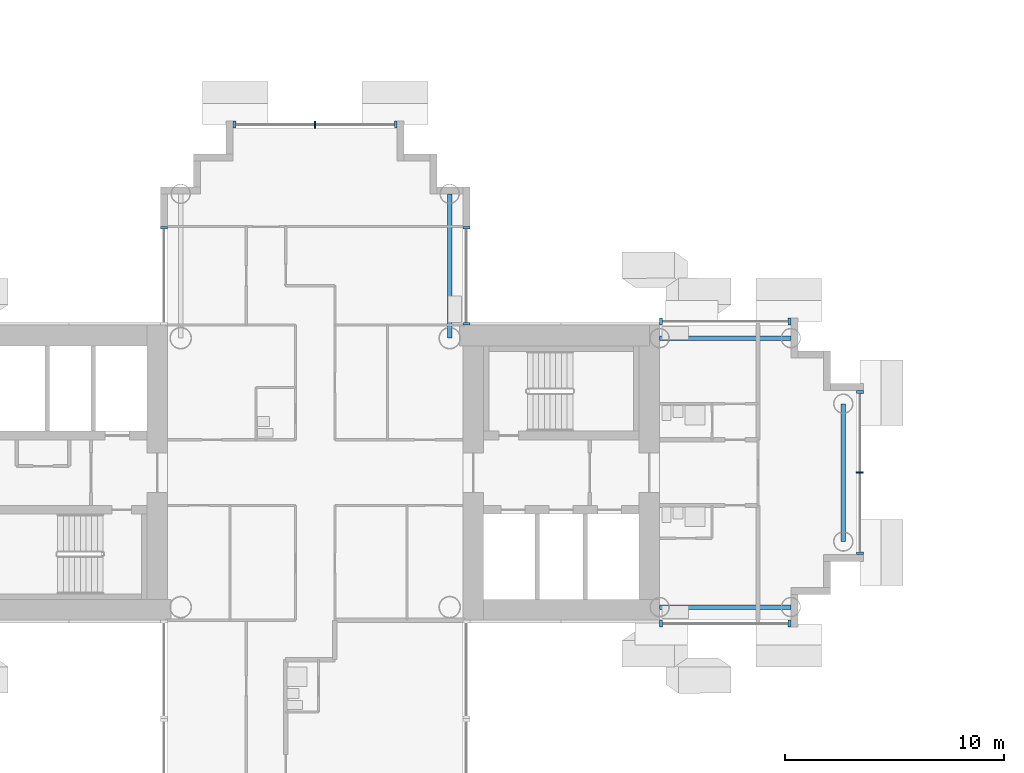
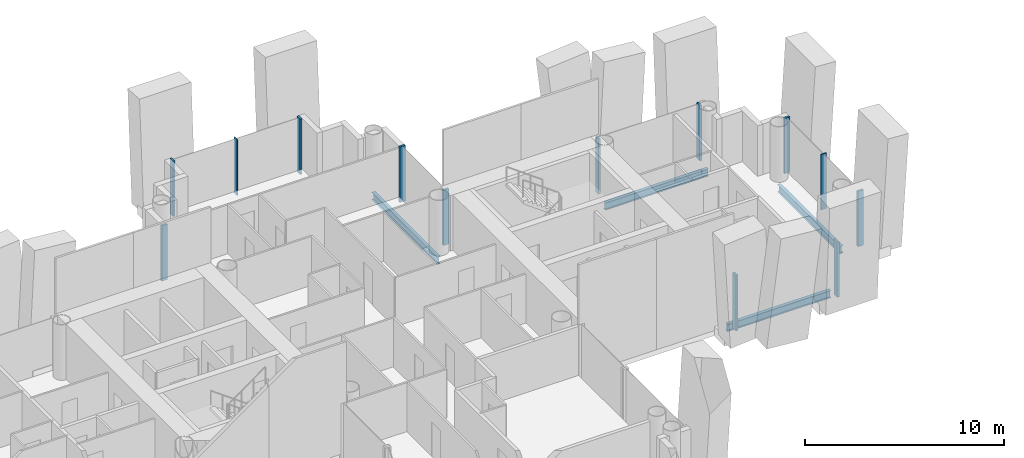
# One storey, part 4 of 21: 13 members, 4 beams, 6 elements without a shape of their own.
"""IFC4 building model written with IfcOpenShell, lengths in metres."""

from ifc_helpers import new_model, si_unit, direction, frame, origin, origin_2d, place, context, subcontext, project, spatial, rectangle, i_section, extrude, material, layer, layer_set, material_profile, profile_set, type_object, element, aggregate, save


model = new_model("IFC4")

# Units and contexts
model_context = context("Model", 3, precision=1e-05, world=origin(), true_north=direction((0.0, 1.0)))
body_context = subcontext(model_context, "Body", "Model", "MODEL_VIEW")
ifc_project = project(units=[si_unit("LENGTHUNIT", "METRE"), si_unit("AREAUNIT", "SQUARE_METRE"), si_unit("VOLUMEUNIT", "CUBIC_METRE"), si_unit("PLANEANGLEUNIT", "RADIAN"), si_unit("MASSUNIT", "GRAM", prefix="KILO")], contexts=[model_context])

# Site, building, storey
site_placement = place(None, origin())
site = spatial("IfcSite", under=ifc_project, at=site_placement, CompositionType="ELEMENT")
building_placement = place(site_placement, origin())
building = spatial("IfcBuilding", under=site, at=building_placement, Name="Ipe Terrace Towers", CompositionType="ELEMENT")
storey_placement = place(building_placement, frame((0.0, 0.0, 107.199951171875)))
storey = spatial("IfcBuildingStorey", under=building, at=storey_placement, Name="L29", CompositionType="ELEMENT", Elevation=107.199951171875)

# Beams
ifc_material_1 = material(Name="Steel S355", Category="steel")
ifc_material_profile_1 = material_profile(ifc_material_1, i_section(OverallWidth=0.199951171875, OverallDepth=0.449951171875, WebThickness=0.009033203125, FlangeThickness=0.013916015625, at=origin_2d()), Name="H-450x200x9x14")
ifc_profile_set_1 = profile_set([ifc_material_profile_1], Name="Steel S355")
beam_type = type_object("IfcBeamType", Name="H08 EDGE BEAM H-450x200x9x14", PredefinedType="BEAM", material=ifc_profile_set_1)
for number, where, z_axis, x_axis, name in (
    (1, (-20.25, -6.14990234375, -0.625), (1.0, 0.0, 0.0), (0.0, 1.0, 0.0), "Edge beam T1-EB-A01-A03"),
    (2, (-20.25, 6.14990234375, -0.625), (1.0, 0.0, 0.0), (0.0, 1.0, 0.0), "Edge beam T1-EB-A02-A04"),
):
    element("IfcBeam", number, at=place(storey_placement, frame(where, z_axis=z_axis, x_axis=x_axis)), inside=storey, type_object=beam_type, Name=name, PredefinedType="BEAM", context=body_context, shape_type="SweptSolid", body=[
        extrude(i_section(OverallWidth=0.199951171875, OverallDepth=0.449951171875, WebThickness=0.009033203125, FlangeThickness=0.013916015625, at=origin_2d()), origin(), (0.0, 0.0, 1.0), 6.0),
    ])
beam_1_placement = place(storey_placement, frame((-11.85009765625, -3.14990234375, -0.625), z_axis=(0.0, 1.0, 0.0), x_axis=(-1.0, 0.0, 0.0)))
element("IfcBeam", 3, at=beam_1_placement, inside=storey, type_object=beam_type, Name="Edge beam T1-EB-A05-A06", PredefinedType="BEAM", context=body_context, shape_type="SweptSolid", body=[
    extrude(i_section(OverallWidth=0.199951171875, OverallDepth=0.449951171875, WebThickness=0.009033203125, FlangeThickness=0.013916015625, at=origin_2d()), origin(), (0.0, 0.0, 1.0), 6.2998046875),
])
beam_2_placement = place(storey_placement, frame((-29.85009765625, 12.75, -0.625), z_axis=(0.0, -1.0, 0.0), x_axis=(1.0, 0.0, 0.0)))
element("IfcBeam", 4, at=beam_2_placement, inside=storey, type_object=beam_type, Name="Edge beam T1-EB-B01-E03", PredefinedType="BEAM", context=body_context, shape_type="SweptSolid", body=[
    extrude(i_section(OverallWidth=0.199951171875, OverallDepth=0.449951171875, WebThickness=0.009033203125, FlangeThickness=0.013916015625, at=origin_2d()), origin(), (0.0, 0.0, 1.0), 6.60009765625),
])

# Curtain wall, members
ifc_material_2 = material(Name="Aluminium alloy 6063-T6", Category="aluminium")
ifc_layer = layer(ifc_material_2, 0.320068359375)
ifc_layer_set = layer_set([ifc_layer], Name="TOWER UNITISED CURTAIN WALL")
curtain_wall_type = type_object("IfcCurtainWallType", Name="TOWER UNITISED CURTAIN WALL", PredefinedType="NOTDEFINED", material=ifc_layer_set)
curtain_wall_1_placement = place(storey_placement, origin())
curtain_wall_1 = element("IfcCurtainWall", 5, at=curtain_wall_1_placement, inside=storey, type_object=curtain_wall_type, Name="T1-CW-L29-20b curtain wall", PredefinedType="NOTDEFINED")
ifc_material_3 = material(Name="Aluminium alloy 6063-T6", Category="aluminium")
ifc_material_profile_2 = material_profile(ifc_material_3, rectangle(XDim=0.320068359375, YDim=0.1201171875, at=origin_2d()), Name="TOWER UNITISED CORNER MULLION 320 x 120")
ifc_profile_set_2 = profile_set([ifc_material_profile_2], Name="Aluminium alloy 6063-T6")
member_type_1 = type_object("IfcMemberType", Name="TOWER UNITISED CORNER MULLION 320 x 120", PredefinedType="MULLION", material=ifc_profile_set_2)
member_1_placement = place(storey_placement, frame((-20.18896484375, -6.909912109375, -0.300048828125), z_axis=(0.0, 0.0, 1.0), x_axis=(0.0, -1.0, 0.0)))
member_1 = element("IfcMember", 6, at=member_1_placement, type_object=member_type_1, Name="T1-CW-L29-20b mullion 1", PredefinedType="MULLION", context=body_context, shape_type="SweptSolid", body=[
    extrude(rectangle(XDim=0.320068359375, YDim=0.1201171875, at=origin_2d()), origin(), (0.0, 0.0, 1.0), 3.400146484375),
])
member_2_placement = place(storey_placement, frame((-14.31005859375, -6.909912109375, -0.300048828125), z_axis=(0.0, 0.0, 1.0), x_axis=(0.0, -1.0, 0.0)))
member_2 = element("IfcMember", 7, at=member_2_placement, type_object=member_type_1, Name="T1-CW-L29-20b mullion 2", PredefinedType="MULLION", context=body_context, shape_type="SweptSolid", body=[
    extrude(rectangle(XDim=0.320068359375, YDim=0.1201171875, at=origin_2d()), origin(), (0.0, 0.0, 1.0), 3.400146484375),
])
aggregate(curtain_wall_1, [member_1, member_2])

curtain_wall_2_placement = place(storey_placement, origin())
curtain_wall_2 = element("IfcCurtainWall", 8, at=curtain_wall_2_placement, inside=storey, type_object=curtain_wall_type, Name="T1-CW-L29-25a curtain wall", PredefinedType="NOTDEFINED")
member_3_placement = place(storey_placement, frame((-11.090087890625, -3.68994140625, -0.300048828125), z_axis=(0.0, 0.0, 1.0), x_axis=(1.0, 0.0, 0.0)))
member_3 = element("IfcMember", 9, at=member_3_placement, type_object=member_type_1, Name="T1-CW-L29-25a mullion 1", PredefinedType="MULLION", context=body_context, shape_type="SweptSolid", body=[
    extrude(rectangle(XDim=0.320068359375, YDim=0.1201171875, at=origin_2d()), origin(), (0.0, 0.0, 1.0), 3.400146484375),
])
member_4_placement = place(storey_placement, frame((-11.090087890625, 3.68994140625, -0.300048828125), z_axis=(0.0, 0.0, 1.0), x_axis=(1.0, 0.0, 0.0)))
member_4 = element("IfcMember", 10, at=member_4_placement, type_object=member_type_1, Name="T1-CW-L29-25a mullion 3", PredefinedType="MULLION", context=body_context, shape_type="SweptSolid", body=[
    extrude(rectangle(XDim=0.320068359375, YDim=0.1201171875, at=origin_2d()), origin(), (0.0, 0.0, 1.0), 3.400146484375),
])

curtain_wall_3_placement = place(storey_placement, origin())
curtain_wall_3 = element("IfcCurtainWall", 11, at=curtain_wall_3_placement, inside=storey, type_object=curtain_wall_type, Name="T1-CW-L29-30a curtain wall", PredefinedType="NOTDEFINED")
member_5_placement = place(storey_placement, frame((-14.31005859375, 6.909912109375, -0.300048828125), z_axis=(0.0, 0.0, 1.0), x_axis=(0.0, 1.0, 0.0)))
member_5 = element("IfcMember", 12, at=member_5_placement, type_object=member_type_1, Name="T1-CW-L29-30a mullion 1", PredefinedType="MULLION", context=body_context, shape_type="SweptSolid", body=[
    extrude(rectangle(XDim=0.320068359375, YDim=0.1201171875, at=origin_2d()), origin(), (0.0, 0.0, 1.0), 3.400146484375),
])
member_6_placement = place(storey_placement, frame((-20.18896484375, 6.909912109375, -0.300048828125), z_axis=(0.0, 0.0, 1.0), x_axis=(0.0, 1.0, 0.0)))
member_6 = element("IfcMember", 13, at=member_6_placement, type_object=member_type_1, Name="T1-CW-L29-30a mullion 2", PredefinedType="MULLION", context=body_context, shape_type="SweptSolid", body=[
    extrude(rectangle(XDim=0.320068359375, YDim=0.1201171875, at=origin_2d()), origin(), (0.0, 0.0, 1.0), 3.400146484375),
])
aggregate(curtain_wall_3, [member_5, member_6])

curtain_wall_4_placement = place(storey_placement, origin())
curtain_wall_4 = element("IfcCurtainWall", 14, at=curtain_wall_4_placement, inside=storey, type_object=curtain_wall_type, Name="T1-CW-L29-32a curtain wall", PredefinedType="NOTDEFINED")
member_7_placement = place(storey_placement, frame((-29.090087890625, 6.81005859375, -0.300048828125), z_axis=(0.0, 0.0, 1.0), x_axis=(1.0, 0.0, 0.0)))
member_7 = element("IfcMember", 15, at=member_7_placement, type_object=member_type_1, Name="T1-CW-L29-32a mullion 1", PredefinedType="MULLION", context=body_context, shape_type="SweptSolid", body=[
    extrude(rectangle(XDim=0.320068359375, YDim=0.1201171875, at=origin_2d()), origin(), (0.0, 0.0, 1.0), 3.400146484375),
])
member_8_placement = place(storey_placement, frame((-29.090087890625, 11.18994140625, -0.300048828125), z_axis=(0.0, 0.0, 1.0), x_axis=(1.0, 0.0, 0.0)))
member_8 = element("IfcMember", 16, at=member_8_placement, type_object=member_type_1, Name="T1-CW-L29-32a mullion 2", PredefinedType="MULLION", context=body_context, shape_type="SweptSolid", body=[
    extrude(rectangle(XDim=0.320068359375, YDim=0.1201171875, at=origin_2d()), origin(), (0.0, 0.0, 1.0), 3.400146484375),
])
aggregate(curtain_wall_4, [member_7, member_8])

curtain_wall_5_placement = place(storey_placement, origin())
curtain_wall_5 = element("IfcCurtainWall", 17, at=curtain_wall_5_placement, inside=storey, type_object=curtain_wall_type, Name="T1-CW-L29-38a curtain wall", PredefinedType="NOTDEFINED")
member_9_placement = place(storey_placement, frame((-32.31005859375, 15.909912109375, -0.300048828125), z_axis=(0.0, 0.0, 1.0), x_axis=(0.0, 1.0, 0.0)))
member_9 = element("IfcMember", 18, at=member_9_placement, type_object=member_type_1, Name="T1-CW-L29-38a mullion 1", PredefinedType="MULLION", context=body_context, shape_type="SweptSolid", body=[
    extrude(rectangle(XDim=0.320068359375, YDim=0.1201171875, at=origin_2d()), origin(), (0.0, 0.0, 1.0), 3.400146484375),
])
member_10_placement = place(storey_placement, frame((-39.68994140625, 15.909912109375, -0.300048828125), z_axis=(0.0, 0.0, 1.0), x_axis=(0.0, 1.0, 0.0)))
member_10 = element("IfcMember", 19, at=member_10_placement, type_object=member_type_1, Name="T1-CW-L29-38a mullion 3", PredefinedType="MULLION", context=body_context, shape_type="SweptSolid", body=[
    extrude(rectangle(XDim=0.320068359375, YDim=0.1201171875, at=origin_2d()), origin(), (0.0, 0.0, 1.0), 3.400146484375),
])

# Curtain wall, member
curtain_wall_6_placement = place(storey_placement, origin())
curtain_wall_6 = element("IfcCurtainWall", 20, at=curtain_wall_6_placement, inside=storey, type_object=curtain_wall_type, Name="T1-CW-L29-44a curtain wall", PredefinedType="NOTDEFINED")
member_11_placement = place(storey_placement, frame((-42.909912109375, 11.18994140625, -0.300048828125), z_axis=(0.0, 0.0, 1.0), x_axis=(-1.0, 0.0, 0.0)))
member_11 = element("IfcMember", 21, at=member_11_placement, type_object=member_type_1, Name="T1-CW-L29-44a mullion 1", PredefinedType="MULLION", context=body_context, shape_type="SweptSolid", body=[
    extrude(rectangle(XDim=0.320068359375, YDim=0.1201171875, at=origin_2d()), origin(), (0.0, 0.0, 1.0), 3.400146484375),
])
aggregate(curtain_wall_6, [member_11])

# Member
ifc_material_4 = material(Name="Aluminium alloy 6063-T6", Category="aluminium")
ifc_material_profile_3 = material_profile(ifc_material_4, rectangle(XDim=0.320068359375, YDim=0.06494140625, at=origin_2d()), Name="TOWER UNITISED MULLION 320 x 65")
ifc_profile_set_3 = profile_set([ifc_material_profile_3], Name="Aluminium alloy 6063-T6")
member_type_2 = type_object("IfcMemberType", Name="TOWER UNITISED MULLION 320 x 65", PredefinedType="MULLION", material=ifc_profile_set_3)
member_12_placement = place(storey_placement, frame((-11.090087890625, 0.0, -0.300048828125), z_axis=(0.0, 0.0, 1.0), x_axis=(1.0, 0.0, 0.0)))
member_12 = element("IfcMember", 22, at=member_12_placement, type_object=member_type_2, Name="T1-CW-L29-25a mullion 2", PredefinedType="MULLION", context=body_context, shape_type="SweptSolid", body=[
    extrude(rectangle(XDim=0.320068359375, YDim=0.06494140625, at=origin_2d()), origin(), (0.0, 0.0, 1.0), 3.400146484375),
])

aggregate(curtain_wall_2, [member_3, member_12, member_4])

member_13_placement = place(storey_placement, frame((-36.0, 15.909912109375, -0.300048828125), z_axis=(0.0, 0.0, 1.0), x_axis=(0.0, 1.0, 0.0)))
member_13 = element("IfcMember", 23, at=member_13_placement, type_object=member_type_2, Name="T1-CW-L29-38a mullion 2", PredefinedType="MULLION", context=body_context, shape_type="SweptSolid", body=[
    extrude(rectangle(XDim=0.320068359375, YDim=0.06494140625, at=origin_2d()), origin(), (0.0, 0.0, 1.0), 3.400146484375),
])

aggregate(curtain_wall_5, [member_9, member_13, member_10])

save(model, "model.ifc")
